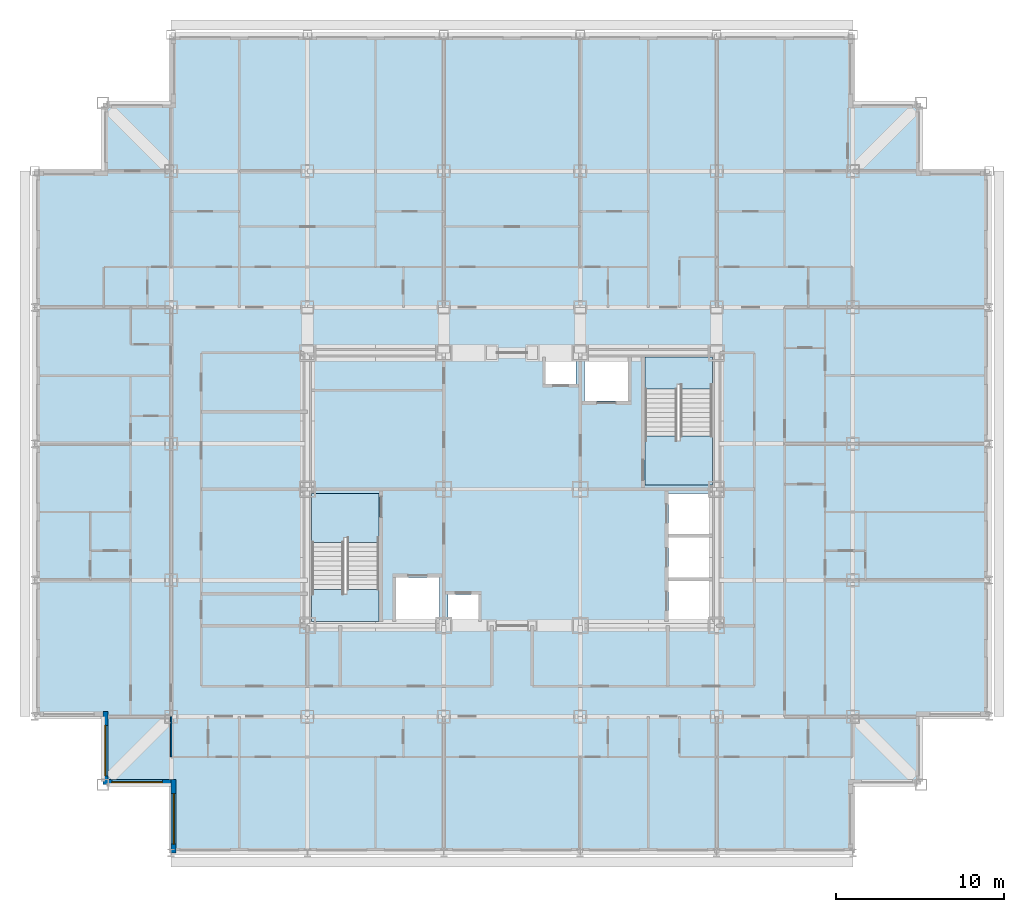
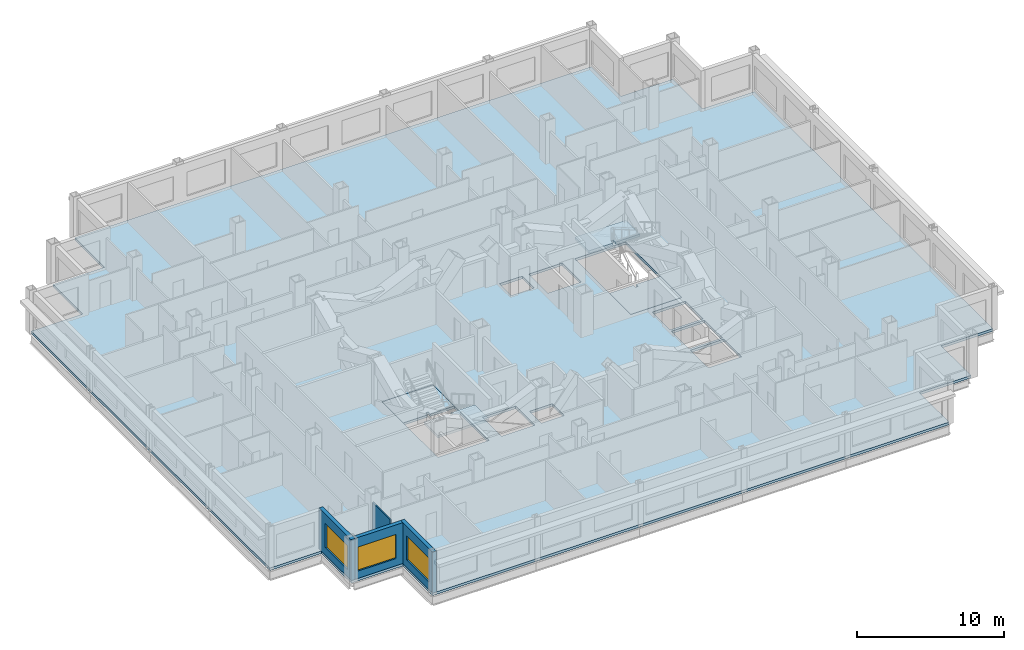
# One storey, part 3 of 12: 5 slabs, 4 walls, 3 windows, 3 openings, 2 elements without a shape of their own.
"""IFC4 building model written with IfcOpenShell, lengths in metres."""

from ifc_helpers import new_model, si_unit, direction, frame, frame_2d, origin, place, context, subcontext, project, spatial, polyline, rectangle, outline, extrude, material, layer, layer_set, type_object, element, fill, aggregate, save


model = new_model("IFC4")

# Units and contexts
model_context = context("Model", 3, precision=1e-05, world=origin(), true_north=direction((0.0, 1.0)))
body_context = subcontext(model_context, "Body", "Model", "MODEL_VIEW")
ifc_project = project(units=[si_unit("LENGTHUNIT", "METRE"), si_unit("AREAUNIT", "SQUARE_METRE"), si_unit("VOLUMEUNIT", "CUBIC_METRE"), si_unit("PLANEANGLEUNIT", "RADIAN"), si_unit("MASSUNIT", "GRAM", prefix="KILO")], contexts=[model_context])

# Site, building, storey
site_placement = place(None, origin())
site = spatial("IfcSite", under=ifc_project, at=site_placement, CompositionType="ELEMENT")
building_placement = place(site_placement, origin())
building = spatial("IfcBuilding", under=site, at=building_placement, Name="Kopane Lantern Tower", CompositionType="ELEMENT")
storey_placement = place(building_placement, frame((0.0, 0.0, 224.39990234375)))
storey = spatial("IfcBuildingStorey", under=building, at=storey_placement, Name="L58", CompositionType="ELEMENT", Elevation=224.39990234375)

# Slab
ifc_material_1 = material(Name="Concrete C40/50", Category="concrete")
ifc_layer_1 = layer(ifc_material_1, 0.2099609375)
ifc_layer_set_1 = layer_set([ifc_layer_1], Name="SLAB 210 COMPOSITE")
slab_type_1 = type_object("IfcSlabType", Name="SLAB 210 COMPOSITE", PredefinedType="FLOOR", material=ifc_layer_set_1)
slab_1_placement = place(storey_placement, frame((0.0, 0.0, -0.2099609375)))
element("IfcSlab", 1, at=slab_1_placement, inside=storey, type_object=slab_type_1, Name="Floor slab L58", PredefinedType="FLOOR", context=body_context, shape_type="SweptSolid", body=[
    extrude(outline(polyline([(8.10009765625, 10.800048828125), (48.60009765625, 10.800048828125), (48.60009765625, 14.85009765625), (52.64990234375, 14.85009765625), (52.64990234375, 18.89990234375), (56.699951171875, 18.89990234375), (56.699951171875, 51.300048828125), (52.64990234375, 51.300048828125), (52.64990234375, 55.35009765625), (48.60009765625, 55.35009765625), (48.60009765625, 59.39990234375), (8.10009765625, 59.39990234375), (8.10009765625, 55.35009765625), (4.050048828125, 55.35009765625), (4.050048828125, 51.300048828125), (0.0, 51.300048828125), (0.0, 18.89990234375), (4.050048828125, 18.89990234375), (4.050048828125, 14.85009765625), (8.10009765625, 14.85009765625), (8.10009765625, 10.800048828125)]), holes=[polyline([(16.449951171875, 24.550048828125), (20.449951171875, 24.550048828125), (20.449951171875, 32.14990234375), (16.449951171875, 32.14990234375), (16.449951171875, 24.550048828125)]), polyline([(36.25, 32.64990234375), (40.25, 32.64990234375), (40.25, 40.25), (36.25, 40.25), (36.25, 32.64990234375)]), polyline([(37.64990234375, 24.550048828125), (40.25, 24.550048828125), (40.25, 26.949951171875), (37.64990234375, 26.949951171875), (37.64990234375, 24.550048828125)]), polyline([(37.64990234375, 27.14990234375), (40.25, 27.14990234375), (40.25, 29.550048828125), (37.64990234375, 29.550048828125), (37.64990234375, 27.14990234375)]), polyline([(37.64990234375, 29.75), (40.25, 29.75), (40.25, 32.14990234375), (37.64990234375, 32.14990234375), (37.64990234375, 29.75)]), polyline([(21.449951171875, 24.550048828125), (24.050048828125, 24.550048828125), (24.050048828125, 27.14990234375), (21.449951171875, 27.14990234375), (21.449951171875, 24.550048828125)]), polyline([(32.64990234375, 37.64990234375), (35.25, 37.64990234375), (35.25, 40.25), (32.64990234375, 40.25), (32.64990234375, 37.64990234375)]), polyline([(24.550048828125, 24.550048828125), (26.35009765625, 24.550048828125), (26.35009765625, 26.14990234375), (24.550048828125, 26.14990234375), (24.550048828125, 24.550048828125)]), polyline([(30.35009765625, 38.64990234375), (32.14990234375, 38.64990234375), (32.14990234375, 40.25), (30.35009765625, 40.25), (30.35009765625, 38.64990234375)])]), origin(), (0.0, 0.0, 1.0), 0.2099609375),
])

# Stair, slabs
ifc_material_2 = material(Name="Steel S355JR", Category="steel")
stair_type = type_object("IfcStairType", Name="EXIT STAIR 1900 HALF TURN", PredefinedType="HALF_TURN_STAIR", material=ifc_material_2)
stair_1_placement = place(storey_placement, origin())
stair_1 = element("IfcStair", 2, at=stair_1_placement, inside=storey, type_object=stair_type, Name="Exit stair ST1 L58", PredefinedType="HALF_TURN_STAIR")
ifc_material_3 = material(Name="Concrete C40/50", Category="concrete")
ifc_layer_2 = layer(ifc_material_3, 0.199951171875)
ifc_layer_set_2 = layer_set([ifc_layer_2], Name="STAIR LANDING 200")
slab_type_2 = type_object("IfcSlabType", Name="STAIR LANDING 200", PredefinedType="LANDING", material=ifc_layer_set_2)
slab_2_placement = place(storey_placement, frame((0.0, 0.0, -0.199951171875)))
slab_2 = element("IfcSlab", 3, at=slab_2_placement, type_object=slab_type_2, Name="ST1 landing 1", PredefinedType="LANDING", context=body_context, shape_type="SweptSolid", body=[
    extrude(outline(polyline([(18.35009765625, 29.530029296875), (18.550048828125, 29.530029296875), (18.550048828125, 29.25), (20.449951171875, 29.25), (20.449951171875, 32.14990234375), (16.449951171875, 32.14990234375), (16.449951171875, 29.25), (18.35009765625, 29.25), (18.35009765625, 29.530029296875)])), origin(), (0.0, 0.0, 1.0), 0.199951171875),
])
slab_3_placement = place(storey_placement, frame((0.0, 0.0, 1.60009765625)))
slab_3 = element("IfcSlab", 4, at=slab_3_placement, type_object=slab_type_2, Name="ST1 landing 2", PredefinedType="LANDING", context=body_context, shape_type="SweptSolid", body=[
    extrude(outline(polyline([(20.449951171875, 26.449951171875), (18.550048828125, 26.449951171875), (18.550048828125, 26.169921875), (18.35009765625, 26.169921875), (18.35009765625, 26.449951171875), (16.449951171875, 26.449951171875), (16.449951171875, 24.550048828125), (20.449951171875, 24.550048828125), (20.449951171875, 26.449951171875)])), origin(), (0.0, 0.0, 1.0), 0.199951171875),
])
aggregate(stair_1, [slab_2, slab_3])

stair_2_placement = place(storey_placement, origin())
stair_2 = element("IfcStair", 5, at=stair_2_placement, inside=storey, type_object=stair_type, Name="Exit stair ST2 L58", PredefinedType="HALF_TURN_STAIR")
slab_4_placement = place(storey_placement, frame((0.0, 0.0, -0.199951171875)))
slab_4 = element("IfcSlab", 6, at=slab_4_placement, type_object=slab_type_2, Name="ST2 landing 1", PredefinedType="LANDING", context=body_context, shape_type="SweptSolid", body=[
    extrude(outline(polyline([(40.25, 35.550048828125), (38.35009765625, 35.550048828125), (38.35009765625, 35.27001953125), (38.14990234375, 35.27001953125), (38.14990234375, 35.550048828125), (36.25, 35.550048828125), (36.25, 32.64990234375), (40.25, 32.64990234375), (40.25, 35.550048828125)])), origin(), (0.0, 0.0, 1.0), 0.199951171875),
])
slab_5_placement = place(storey_placement, frame((0.0, 0.0, 1.60009765625)))
slab_5 = element("IfcSlab", 7, at=slab_5_placement, type_object=slab_type_2, Name="ST2 landing 2", PredefinedType="LANDING", context=body_context, shape_type="SweptSolid", body=[
    extrude(outline(polyline([(38.14990234375, 38.6298828125), (38.35009765625, 38.6298828125), (38.35009765625, 38.35009765625), (40.25, 38.35009765625), (40.25, 40.25), (36.25, 40.25), (36.25, 38.35009765625), (38.14990234375, 38.35009765625), (38.14990234375, 38.6298828125)])), origin(), (0.0, 0.0, 1.0), 0.199951171875),
])
aggregate(stair_2, [slab_4, slab_5])

# Wall
ifc_material_4 = material(Name="Moisture-resistant board on steel studs", Category="steel")
ifc_layer_3 = layer(ifc_material_4, 0.10009765625)
ifc_layer_set_3 = layer_set([ifc_layer_3], Name="BATHROOM WALL 100")
wall_type_1 = type_object("IfcWallType", Name="BATHROOM WALL 100", PredefinedType="PARTITIONING", material=ifc_layer_set_3)
wall_1_placement = place(storey_placement, frame((8.10009765625, 18.89990234375, 0.0), z_axis=(0.0, 0.0, 1.0), x_axis=(0.0, -1.0, 0.0)))
element("IfcWall", 8, at=wall_1_placement, inside=storey, type_object=wall_type_1, Name="Bathroom Wall 100 L58", PredefinedType="PARTITIONING", context=body_context, shape_type="SweptSolid", body=[
    extrude(rectangle(XDim=2.39990234375, YDim=0.10009765625, at=frame_2d((1.199951171875, 0.0))), origin(), (0.0, 0.0, 1.0), 2.6279296875),
])

# Wall, opening, window
ifc_material_5 = material(Name="Terracotta rainscreen on light steel framing", Category="masonry")
ifc_layer_4 = layer(ifc_material_5, 0.300048828125)
ifc_layer_set_4 = layer_set([ifc_layer_4], Name="EXTERNAL WALL EW1 300 TERRACOTTA")
wall_type_2 = type_object("IfcWallType", Name="EXTERNAL WALL EW1 300 TERRACOTTA", PredefinedType="SOLIDWALL", material=ifc_layer_set_4)
wall_2_placement = place(storey_placement, frame((4.199951171875, 19.199951171875, 0.0), z_axis=(0.0, 0.0, 1.0), x_axis=(0.0, -1.0, 0.0)))
wall_2 = element("IfcWall", 9, at=wall_2_placement, inside=storey, type_object=wall_type_2, Name="External wall W L58", PredefinedType="SOLIDWALL", context=body_context, shape_type="SweptSolid", body=[
    extrude(rectangle(XDim=4.349853515625, YDim=0.300048828125, at=frame_2d((2.1748046875, 0.0))), origin(), (0.0, 0.0, 1.0), 3.39013671875),
])
opening_1_placement = place(wall_2_placement, frame((0.824951171875, 0.0, 0.60009765625)))
opening_1 = element("IfcOpeningElement", 10, at=opening_1_placement, cuts=wall_2, Name="Opening WR300200", PredefinedType="OPENING", context=body_context, shape_type="SweptSolid", body=[
    extrude(rectangle(XDim=3.0, YDim=2.0, at=frame_2d((1.5, 1.0))), frame((0.0, 0.159912109375, 0.0), z_axis=(0.0, -1.0, 0.0), x_axis=(1.0, 0.0, 0.0)), (0.0, 0.0, 1.0), 0.320068359375),
])
ifc_material_6 = material(Name="Aluminium and clear glass", Category="aluminium")
window_type = type_object("IfcWindowType", Name="RIBBON WINDOW WR300200 3000x2000", PartitioningType="SINGLE_PANEL", PredefinedType="WINDOW", material=ifc_material_6)
window_1_placement = place(opening_1_placement, origin())
window_1 = element("IfcWindow", 11, at=window_1_placement, inside=storey, type_object=window_type, Name="Window W L58", OverallHeight=2.0, OverallWidth=3.0, PartitioningType="SINGLE_PANEL", PredefinedType="WINDOW", context=body_context, shape_type="SweptSolid", body=[
    extrude(rectangle(XDim=3.0, YDim=2.0, at=frame_2d((1.5, 1.0))), frame((0.0, 0.030029296875, 0.0), z_axis=(0.0, -1.0, 0.0), x_axis=(1.0, 0.0, 0.0)), (0.0, 0.0, 1.0), 0.06005859375),
])
fill(opening_1, window_1)

wall_3_placement = place(storey_placement, frame((4.35009765625, 15.0, 0.0), z_axis=(0.0, 0.0, 1.0), x_axis=(1.0, 0.0, 0.0)))
wall_3 = element("IfcWall", 12, at=wall_3_placement, inside=storey, type_object=wall_type_2, Name="External wall S L58", PredefinedType="SOLIDWALL", context=body_context, shape_type="SweptSolid", body=[
    extrude(rectangle(XDim=3.75, YDim=0.300048828125, at=frame_2d((1.875, 0.0))), origin(), (0.0, 0.0, 1.0), 3.39013671875),
])
opening_2_placement = place(wall_3_placement, frame((0.22509765625, 0.0, 0.60009765625)))
opening_2 = element("IfcOpeningElement", 13, at=opening_2_placement, cuts=wall_3, Name="Opening WR300200", PredefinedType="OPENING", context=body_context, shape_type="SweptSolid", body=[
    extrude(rectangle(XDim=3.0, YDim=2.0, at=frame_2d((1.5, 1.0))), frame((0.0, 0.159912109375, 0.0), z_axis=(0.0, -1.0, 0.0), x_axis=(1.0, 0.0, 0.0)), (0.0, 0.0, 1.0), 0.320068359375),
])
window_2_placement = place(opening_2_placement, origin())
window_2 = element("IfcWindow", 14, at=window_2_placement, inside=storey, type_object=window_type, Name="Window S L58", OverallHeight=2.0, OverallWidth=3.0, PartitioningType="SINGLE_PANEL", PredefinedType="WINDOW", context=body_context, shape_type="SweptSolid", body=[
    extrude(rectangle(XDim=3.0, YDim=2.0, at=frame_2d((1.5, 1.0))), frame((0.0, 0.030029296875, 0.0), z_axis=(0.0, -1.0, 0.0), x_axis=(1.0, 0.0, 0.0)), (0.0, 0.0, 1.0), 0.06005859375),
])
fill(opening_2, window_2)

wall_4_placement = place(storey_placement, frame((8.25, 15.14990234375, 0.0), z_axis=(0.0, 0.0, 1.0), x_axis=(0.0, -1.0, 0.0)))
wall_4 = element("IfcWall", 15, at=wall_4_placement, inside=storey, type_object=wall_type_2, Name="External wall W L58", PredefinedType="SOLIDWALL", context=body_context, shape_type="SweptSolid", body=[
    extrude(rectangle(XDim=4.349853515625, YDim=0.300048828125, at=frame_2d((2.1748046875, 0.0))), origin(), (0.0, 0.0, 1.0), 3.39013671875),
])
opening_3_placement = place(wall_4_placement, frame((0.824951171875, 0.0, 0.60009765625)))
opening_3 = element("IfcOpeningElement", 16, at=opening_3_placement, cuts=wall_4, Name="Opening WR300200", PredefinedType="OPENING", context=body_context, shape_type="SweptSolid", body=[
    extrude(rectangle(XDim=3.0, YDim=2.0, at=frame_2d((1.5, 1.0))), frame((0.0, 0.159912109375, 0.0), z_axis=(0.0, -1.0, 0.0), x_axis=(1.0, 0.0, 0.0)), (0.0, 0.0, 1.0), 0.320068359375),
])
window_3_placement = place(opening_3_placement, origin())
window_3 = element("IfcWindow", 17, at=window_3_placement, inside=storey, type_object=window_type, Name="Window W L58", OverallHeight=2.0, OverallWidth=3.0, PartitioningType="SINGLE_PANEL", PredefinedType="WINDOW", context=body_context, shape_type="SweptSolid", body=[
    extrude(rectangle(XDim=3.0, YDim=2.0, at=frame_2d((1.5, 1.0))), frame((0.0, 0.030029296875, 0.0), z_axis=(0.0, -1.0, 0.0), x_axis=(1.0, 0.0, 0.0)), (0.0, 0.0, 1.0), 0.06005859375),
])
fill(opening_3, window_3)

save(model, "model.ifc")
